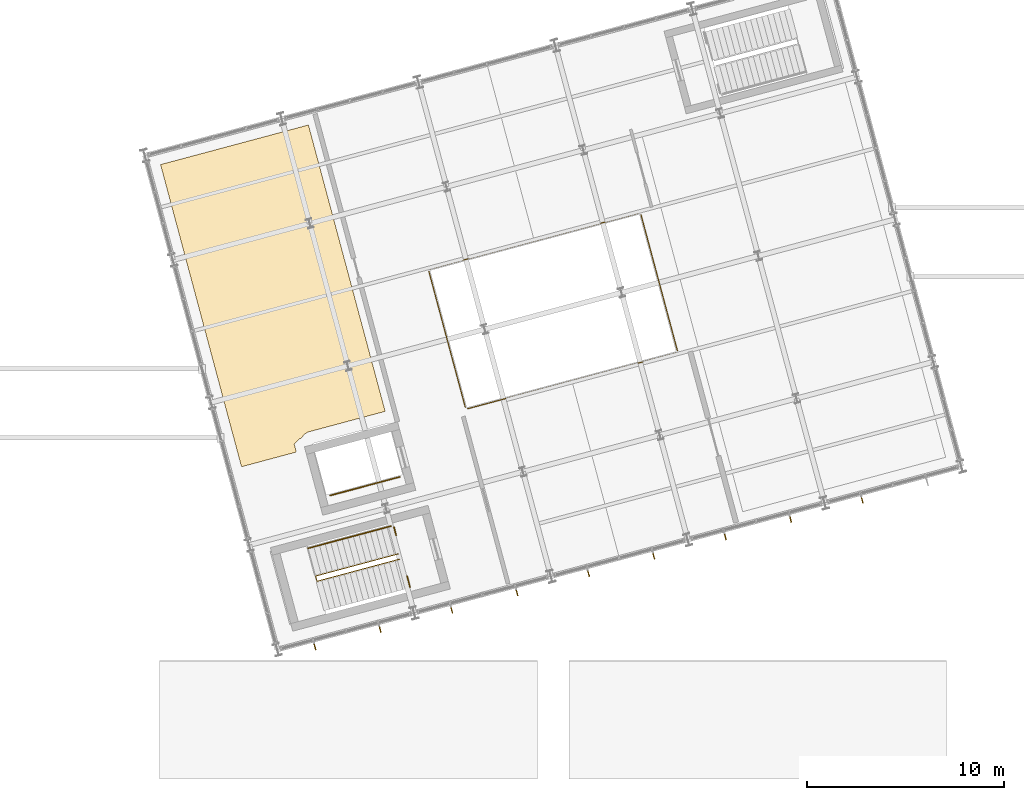
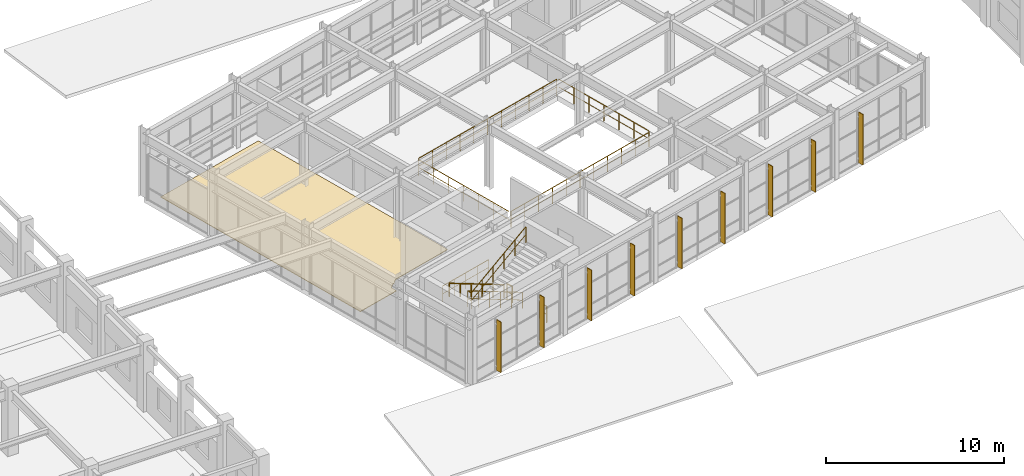
# One storey, part 99 of 104: 9 shading devices, 6 railings, 1 covering.
"""IFC4 building model written with IfcOpenShell, lengths in metres."""

from ifc_helpers import new_model, si_unit, direction, frame, origin, origin_2d, place, context, subcontext, project, spatial, polyline, rectangle, circle, outline, extrude, material, layer, layer_set, type_object, element, save


model = new_model("IFC4")

# Units and contexts
model_context = context("Model", 3, precision=1e-05, world=origin(), true_north=direction((0.0, 1.0)))
body_context = subcontext(model_context, "Body", "Model", "MODEL_VIEW")
ifc_project = project(units=[si_unit("LENGTHUNIT", "METRE"), si_unit("AREAUNIT", "SQUARE_METRE"), si_unit("VOLUMEUNIT", "CUBIC_METRE"), si_unit("PLANEANGLEUNIT", "RADIAN"), si_unit("MASSUNIT", "GRAM", prefix="KILO")], contexts=[model_context])

# Site, building, storey
site_placement = place(None, origin())
site = spatial("IfcSite", under=ifc_project, at=site_placement, CompositionType="ELEMENT")
building_placement = place(site_placement, origin())
building = spatial("IfcBuilding", under=site, at=building_placement, Name="Ventoquebrada Cableway Terminal", CompositionType="ELEMENT")
storey_placement = place(building_placement, frame((0.0, 0.0, 4.800048828125)))
storey = spatial("IfcBuildingStorey", under=building, at=storey_placement, Name="L01", CompositionType="ELEMENT", Elevation=4.800048828125)

# Covering
ifc_material_1 = material(Name="Honed volcanic basalt stone flooring", Category="masonry")
ifc_layer = layer(ifc_material_1, 0.034912109375)
ifc_layer_set = layer_set([ifc_layer], Name="Honed volcanic basalt stone flooring")
covering_type = type_object("IfcCoveringType", Name="COV-FL01", PredefinedType="FLOORING", material=ifc_layer_set)
covering_placement = place(storey_placement, origin())
element("IfcCovering", 1, at=covering_placement, inside=storey, type_object=covering_type, Name="Honed basalt floor finish FL-11", PredefinedType="FLOORING", context=body_context, shape_type="SweptSolid", body=[
    extrude(outline(polyline([(50.159912109375, 79.080078125), (52.944091796875, 79.826904296875), (52.8369140625, 80.23193359375), (53.118896484375, 80.513916015625), (53.2099609375, 80.5390625), (53.343017578125, 80.72412109375), (53.535888671875, 80.843017578125), (57.4599609375, 81.89599609375), (53.56005859375, 96.451904296875), (46.044921875, 94.43896484375), (50.159912109375, 79.080078125)])), origin(), (0.0, 0.0, 1.0), 0.034912109375),
])

# Railings
ifc_material_2 = material(Name="Brushed stainless steel Grade 316", Category="steel")
railing_type_1 = type_object("IfcRailingType", Name="RL-GD01", PredefinedType="GUARDRAIL", material=ifc_material_2)
railing_1_placement = place(storey_placement, frame((58.1279296875, 74.652099609375, 0.14990234375)))
element("IfcRailing", 2, at=railing_1_placement, inside=storey, type_object=railing_type_1, Name="Stair well guardrail GR-S28", PredefinedType="GUARDRAIL", context=body_context, shape_type="SweptSolid", body=[
    extrude(circle(Radius=0.02392578125, at=origin_2d()), frame((-0.001708984375, -0.00048828125, 1.096923828125), z_axis=(-0.857944788778, -0.229951734974, 0.459404983637), x_axis=(0.258888500061, -0.965907213213, 0.0)), (0.0, 0.0, 1.0), 4.8935546875),
    extrude(circle(Radius=0.01611328125, at=origin_2d()), frame((-0.001708984375, -0.00048828125, 0.56103515625), z_axis=(-0.857944788778, -0.229951734974, 0.459404983637), x_axis=(0.258888500061, -0.965907213213, 0.0)), (0.0, 0.0, 1.0), 4.8935546875),
    extrude(circle(Radius=0.02392578125, at=origin_2d()), frame((-4.201416015625, -1.128173828125, 3.34619140625), z_axis=(0.260098256048, -0.965582154558, 0.0), x_axis=(0.965582154558, 0.260098256048, 0.0)), (0.0, 0.0, 1.0), 0.276611328125),
    extrude(circle(Radius=0.01611328125, at=origin_2d()), frame((-4.201416015625, -1.128173828125, 2.81005859375), z_axis=(0.260098256048, -0.965582154558, 0.0), x_axis=(0.965582154558, 0.260098256048, 0.0)), (0.0, 0.0, 1.0), 0.276611328125),
    extrude(circle(Radius=0.02392578125, at=origin_2d()), frame((-4.127197265625, -1.396728515625, 3.346923828125), z_axis=(0.845668538369, 0.226714067966, 0.483161934137), x_axis=(-0.258944647281, 0.965892162534, 0.0)), (0.0, 0.0, 1.0), 4.963623046875),
    extrude(circle(Radius=0.01611328125, at=origin_2d()), frame((-4.127197265625, -1.396728515625, 2.81103515625), z_axis=(0.845668538369, 0.226714067966, 0.483161934137), x_axis=(-0.258944647281, 0.965892162534, 0.0)), (0.0, 0.0, 1.0), 4.963623046875),
    extrude(circle(Radius=0.02099609375, at=origin_2d()), origin(), (0.0, 0.0, 1.0), 1.072021484375),
    extrude(circle(Radius=0.02099609375, at=origin_2d()), frame((-0.84033203125, -0.225341796875, 0.449951171875)), (0.0, 0.0, 1.0), 1.072021484375),
    extrude(circle(Radius=0.02099609375, at=origin_2d()), frame((-1.6806640625, -0.450439453125, 0.89990234375)), (0.0, 0.0, 1.0), 1.072021484375),
    extrude(circle(Radius=0.02099609375, at=origin_2d()), frame((-2.521240234375, -0.67578125, 1.35009765625)), (0.0, 0.0, 1.0), 1.072021484375),
    extrude(circle(Radius=0.02099609375, at=origin_2d()), frame((-3.361572265625, -0.90087890625, 1.800048828125)), (0.0, 0.0, 1.0), 1.072021484375),
    extrude(circle(Radius=0.02099609375, at=origin_2d()), frame((-4.201904296875, -1.126220703125, 2.25)), (0.0, 0.0, 1.0), 1.072021484375),
    extrude(circle(Radius=0.02099609375, at=origin_2d()), frame((-4.12890625, -1.397216796875, 2.25)), (0.0, 0.0, 1.0), 1.072021484375),
    extrude(circle(Radius=0.02099609375, at=origin_2d()), frame((-3.288818359375, -1.171875, 2.72998046875)), (0.0, 0.0, 1.0), 1.072021484375),
    extrude(circle(Radius=0.02099609375, at=origin_2d()), frame((-2.448486328125, -0.94677734375, 3.2099609375)), (0.0, 0.0, 1.0), 1.072021484375),
    extrude(circle(Radius=0.02099609375, at=origin_2d()), frame((-1.6083984375, -0.721435546875, 3.690185546875)), (0.0, 0.0, 1.0), 1.072021484375),
    extrude(circle(Radius=0.02099609375, at=origin_2d()), frame((-0.76806640625, -0.496337890625, 4.170166015625)), (0.0, 0.0, 1.0), 1.072021484375),
    extrude(circle(Radius=0.02099609375, at=origin_2d()), frame((0.072021484375, -0.27099609375, 4.650146484375)), (0.0, 0.0, 1.0), 1.072021484375),
])
railing_2_placement = place(storey_placement, frame((59.7529296875, 89.135986328125, 0.0)))
element("IfcRailing", 3, at=railing_2_placement, inside=storey, type_object=railing_type_1, Name="Open-edge guardrail GR-E075", PredefinedType="GUARDRAIL", context=body_context, shape_type="SweptSolid", body=[
    extrude(circle(Radius=0.02392578125, at=origin_2d()), frame((-0.0693359375, -0.121826171875, 1.09619140625), z_axis=(0.258786618529, -0.96593451438, 0.0), x_axis=(0.96593451438, 0.258786618529, 0.0)), (0.0, 0.0, 1.0), 7.16015625),
    extrude(circle(Radius=0.01611328125, at=origin_2d()), frame((-0.0693359375, -0.121826171875, 0.56005859375), z_axis=(0.258786618529, -0.96593451438, 0.0), x_axis=(0.96593451438, 0.258786618529, 0.0)), (0.0, 0.0, 1.0), 7.16015625),
    extrude(circle(Radius=0.02392578125, at=origin_2d()), frame((1.888916015625, -7.111572265625, 1.09619140625), z_axis=(0.965981727158, 0.258610330026, 0.0), x_axis=(-0.258610330026, 0.965981727158, 0.0)), (0.0, 0.0, 1.0), 5.4951171875),
    extrude(circle(Radius=0.01611328125, at=origin_2d()), frame((1.888916015625, -7.111572265625, 0.56005859375), z_axis=(0.965981727158, 0.258610330026, 0.0), x_axis=(-0.258610330026, 0.965981727158, 0.0)), (0.0, 0.0, 1.0), 5.4951171875),
    extrude(circle(Radius=0.02392578125, at=origin_2d()), frame((7.200927734375, -5.689453125, 1.09619140625), z_axis=(0.965965342094, 0.258671525053, 0.0), x_axis=(-0.258671525053, 0.965965342094, 0.0)), (0.0, 0.0, 1.0), 5.477783203125),
    extrude(circle(Radius=0.01611328125, at=origin_2d()), frame((7.200927734375, -5.689453125, 0.56005859375), z_axis=(0.965965342094, 0.258671525053, 0.0), x_axis=(-0.258671525053, 0.965965342094, 0.0)), (0.0, 0.0, 1.0), 5.477783203125),
    extrude(circle(Radius=0.02392578125, at=origin_2d()), frame((12.5634765625, -4.150146484375, 1.09619140625), z_axis=(-0.258786618529, 0.96593451438, 0.0), x_axis=(-0.96593451438, -0.258786618529, 0.0)), (0.0, 0.0, 1.0), 7.16015625),
    extrude(circle(Radius=0.01611328125, at=origin_2d()), frame((12.5634765625, -4.150146484375, 0.56005859375), z_axis=(-0.258786618529, 0.96593451438, 0.0), x_axis=(-0.96593451438, -0.258786618529, 0.0)), (0.0, 0.0, 1.0), 7.16015625),
    extrude(circle(Radius=0.02392578125, at=origin_2d()), frame((10.605224609375, 2.839599609375, 1.09619140625), z_axis=(-0.965981727158, -0.258610330026, 0.0), x_axis=(0.258610330026, -0.965981727158, 0.0)), (0.0, 0.0, 1.0), 5.4951171875),
    extrude(circle(Radius=0.01611328125, at=origin_2d()), frame((10.605224609375, 2.839599609375, 0.56005859375), z_axis=(-0.965981727158, -0.258610330026, 0.0), x_axis=(0.258610330026, -0.965981727158, 0.0)), (0.0, 0.0, 1.0), 5.4951171875),
    extrude(circle(Radius=0.02392578125, at=origin_2d()), frame((5.293212890625, 1.41748046875, 1.09619140625), z_axis=(-0.965965342094, -0.258671525053, 0.0), x_axis=(0.258671525053, -0.965965342094, 0.0)), (0.0, 0.0, 1.0), 5.477783203125),
    extrude(circle(Radius=0.01611328125, at=origin_2d()), frame((5.293212890625, 1.41748046875, 0.56005859375), z_axis=(-0.965965342094, -0.258671525053, 0.0), x_axis=(0.258671525053, -0.965965342094, 0.0)), (0.0, 0.0, 1.0), 5.477783203125),
    extrude(circle(Radius=0.02099609375, at=origin_2d()), frame((-0.06982421875, -0.119873046875, 0.0)), (0.0, 0.0, 1.0), 1.072021484375),
    extrude(circle(Radius=0.02099609375, at=origin_2d()), frame((0.2392578125, -1.273193359375, 0.0)), (0.0, 0.0, 1.0), 1.072021484375),
    extrude(circle(Radius=0.02099609375, at=origin_2d()), frame((0.548095703125, -2.426513671875, 0.0)), (0.0, 0.0, 1.0), 1.072021484375),
    extrude(circle(Radius=0.02099609375, at=origin_2d()), frame((0.857177734375, -3.580078125, 0.0)), (0.0, 0.0, 1.0), 1.072021484375),
    extrude(circle(Radius=0.02099609375, at=origin_2d()), frame((1.166259765625, -4.7333984375, 0.0)), (0.0, 0.0, 1.0), 1.072021484375),
    extrude(circle(Radius=0.02099609375, at=origin_2d()), frame((1.47509765625, -5.88671875, 0.0)), (0.0, 0.0, 1.0), 1.072021484375),
    extrude(circle(Radius=0.02099609375, at=origin_2d()), frame((1.886962890625, -7.112060546875, 0.0)), (0.0, 0.0, 1.0), 1.072021484375),
    extrude(circle(Radius=0.02099609375, at=origin_2d()), frame((2.949462890625, -6.82763671875, 0.0)), (0.0, 0.0, 1.0), 1.072021484375),
    extrude(circle(Radius=0.02099609375, at=origin_2d()), frame((4.01171875, -6.543212890625, 0.0)), (0.0, 0.0, 1.0), 1.072021484375),
    extrude(circle(Radius=0.02099609375, at=origin_2d()), frame((5.07421875, -6.2587890625, 0.0)), (0.0, 0.0, 1.0), 1.072021484375),
    extrude(circle(Radius=0.02099609375, at=origin_2d()), frame((6.136474609375, -5.974365234375, 0.0)), (0.0, 0.0, 1.0), 1.072021484375),
    extrude(circle(Radius=0.02099609375, at=origin_2d()), frame((7.198974609375, -5.68994140625, 0.0)), (0.0, 0.0, 1.0), 1.072021484375),
    extrude(circle(Radius=0.02099609375, at=origin_2d()), frame((8.258056640625, -5.40625, 0.0)), (0.0, 0.0, 1.0), 1.072021484375),
    extrude(circle(Radius=0.02099609375, at=origin_2d()), frame((9.317138671875, -5.122802734375, 0.0)), (0.0, 0.0, 1.0), 1.072021484375),
    extrude(circle(Radius=0.02099609375, at=origin_2d()), frame((10.3759765625, -4.839111328125, 0.0)), (0.0, 0.0, 1.0), 1.072021484375),
    extrude(circle(Radius=0.02099609375, at=origin_2d()), frame((11.43505859375, -4.5556640625, 0.0)), (0.0, 0.0, 1.0), 1.072021484375),
    extrude(circle(Radius=0.02099609375, at=origin_2d()), frame((12.56396484375, -4.152099609375, 0.0)), (0.0, 0.0, 1.0), 1.072021484375),
    extrude(circle(Radius=0.02099609375, at=origin_2d()), frame((12.2548828125, -2.998779296875, 0.0)), (0.0, 0.0, 1.0), 1.072021484375),
    extrude(circle(Radius=0.02099609375, at=origin_2d()), frame((11.946044921875, -1.845458984375, 0.0)), (0.0, 0.0, 1.0), 1.072021484375),
    extrude(circle(Radius=0.02099609375, at=origin_2d()), frame((11.636962890625, -0.69189453125, 0.0)), (0.0, 0.0, 1.0), 1.072021484375),
    extrude(circle(Radius=0.02099609375, at=origin_2d()), frame((11.327880859375, 0.46142578125, 0.0)), (0.0, 0.0, 1.0), 1.072021484375),
    extrude(circle(Radius=0.02099609375, at=origin_2d()), frame((11.01904296875, 1.61474609375, 0.0)), (0.0, 0.0, 1.0), 1.072021484375),
    extrude(circle(Radius=0.02099609375, at=origin_2d()), frame((10.607177734375, 2.840087890625, 0.0)), (0.0, 0.0, 1.0), 1.072021484375),
    extrude(circle(Radius=0.02099609375, at=origin_2d()), frame((9.544677734375, 2.5556640625, 0.0)), (0.0, 0.0, 1.0), 1.072021484375),
    extrude(circle(Radius=0.02099609375, at=origin_2d()), frame((8.482421875, 2.271240234375, 0.0)), (0.0, 0.0, 1.0), 1.072021484375),
    extrude(circle(Radius=0.02099609375, at=origin_2d()), frame((7.419921875, 1.98681640625, 0.0)), (0.0, 0.0, 1.0), 1.072021484375),
    extrude(circle(Radius=0.02099609375, at=origin_2d()), frame((6.357666015625, 1.702392578125, 0.0)), (0.0, 0.0, 1.0), 1.072021484375),
    extrude(circle(Radius=0.02099609375, at=origin_2d()), frame((5.295166015625, 1.41796875, 0.0)), (0.0, 0.0, 1.0), 1.072021484375),
    extrude(circle(Radius=0.02099609375, at=origin_2d()), frame((4.236083984375, 1.13427734375, 0.0)), (0.0, 0.0, 1.0), 1.072021484375),
    extrude(circle(Radius=0.02099609375, at=origin_2d()), frame((3.177001953125, 0.850830078125, 0.0)), (0.0, 0.0, 1.0), 1.072021484375),
    extrude(circle(Radius=0.02099609375, at=origin_2d()), frame((2.1181640625, 0.567138671875, 0.0)), (0.0, 0.0, 1.0), 1.072021484375),
    extrude(circle(Radius=0.02099609375, at=origin_2d()), frame((1.05908203125, 0.28369140625, 0.0)), (0.0, 0.0, 1.0), 1.072021484375),
    extrude(circle(Radius=0.02099609375, at=origin_2d()), origin(), (0.0, 0.0, 1.0), 1.072021484375),
])
railing_3_placement = place(storey_placement, frame((58.72607421875, 72.958984375, 0.0)))
element("IfcRailing", 4, at=railing_3_placement, inside=storey, type_object=railing_type_1, Name="Open-edge guardrail GR-E076", PredefinedType="GUARDRAIL", context=body_context, shape_type="SweptSolid", body=[
    extrude(circle(Radius=0.02392578125, at=origin_2d()), frame((-0.00048828125, 0.001953125, 1.09619140625), z_axis=(-0.258143027153, 0.966106711255, 0.0), x_axis=(-0.966106711255, -0.258143027153, 0.0)), (0.0, 0.0, 1.0), 0.5654296875),
    extrude(circle(Radius=0.01611328125, at=origin_2d()), frame((-0.00048828125, 0.001953125, 0.56005859375), z_axis=(-0.258143027153, 0.966106711255, 0.0), x_axis=(-0.966106711255, -0.258143027153, 0.0)), (0.0, 0.0, 1.0), 0.5654296875),
    extrude(circle(Radius=0.02099609375, at=origin_2d()), origin(), (0.0, 0.0, 1.0), 1.072021484375),
    extrude(circle(Radius=0.02099609375, at=origin_2d()), frame((-0.14697265625, 0.550048828125, 0.0)), (0.0, 0.0, 1.0), 1.072021484375),
])
railing_4_placement = place(storey_placement, frame((58.01904296875, 75.595947265625, 0.0)))
element("IfcRailing", 5, at=railing_4_placement, inside=storey, type_object=railing_type_1, Name="Open-edge guardrail GR-E077", PredefinedType="GUARDRAIL", context=body_context, shape_type="SweptSolid", body=[
    extrude(circle(Radius=0.02392578125, at=origin_2d()), frame((-0.00048828125, 0.001953125, 1.09619140625), z_axis=(-0.257980244894, 0.966150191867, 0.0), x_axis=(-0.966150191867, -0.257980244894, 0.0)), (0.0, 0.0, 1.0), 0.426513671875),
    extrude(circle(Radius=0.01611328125, at=origin_2d()), frame((-0.00048828125, 0.001953125, 0.56005859375), z_axis=(-0.257980244894, 0.966150191867, 0.0), x_axis=(-0.966150191867, -0.257980244894, 0.0)), (0.0, 0.0, 1.0), 0.426513671875),
    extrude(circle(Radius=0.02099609375, at=origin_2d()), origin(), (0.0, 0.0, 1.0), 1.072021484375),
    extrude(circle(Radius=0.02099609375, at=origin_2d()), frame((-0.111083984375, 0.416015625, 0.0)), (0.0, 0.0, 1.0), 1.072021484375),
])
railing_5_placement = place(storey_placement, frame((54.662109375, 77.615966796875, 0.0)))
element("IfcRailing", 6, at=railing_5_placement, inside=storey, type_object=railing_type_1, Name="Open-edge guardrail GR-E078", PredefinedType="GUARDRAIL", context=body_context, shape_type="SweptSolid", body=[
    extrude(circle(Radius=0.02392578125, at=origin_2d()), frame((0.001953125, 0.00048828125, 1.09619140625), z_axis=(0.965954302086, 0.258712748587, 0.0), x_axis=(-0.258712748587, 0.965954302086, 0.0)), (0.0, 0.0, 1.0), 3.656494140625),
    extrude(circle(Radius=0.01611328125, at=origin_2d()), frame((0.001953125, 0.00048828125, 0.56005859375), z_axis=(0.965954302086, 0.258712748587, 0.0), x_axis=(-0.258712748587, 0.965954302086, 0.0)), (0.0, 0.0, 1.0), 3.656494140625),
    extrude(circle(Radius=0.02099609375, at=origin_2d()), origin(), (0.0, 0.0, 1.0), 1.072021484375),
    extrude(circle(Radius=0.02099609375, at=origin_2d()), frame((0.884033203125, 0.23681640625, 0.0)), (0.0, 0.0, 1.0), 1.072021484375),
    extrude(circle(Radius=0.02099609375, at=origin_2d()), frame((1.76806640625, 0.4736328125, 0.0)), (0.0, 0.0, 1.0), 1.072021484375),
    extrude(circle(Radius=0.02099609375, at=origin_2d()), frame((2.65185546875, 0.710205078125, 0.0)), (0.0, 0.0, 1.0), 1.072021484375),
    extrude(circle(Radius=0.02099609375, at=origin_2d()), frame((3.535888671875, 0.947021484375, 0.0)), (0.0, 0.0, 1.0), 1.072021484375),
])
railing_type_2 = type_object("IfcRailingType", Name="RL-HR01", PredefinedType="HANDRAIL", material=ifc_material_2)
railing_6_placement = place(storey_placement, frame((57.75, 76.06201171875, 0.14990234375)))
element("IfcRailing", 7, at=railing_6_placement, inside=storey, type_object=railing_type_2, Name="Stair wall handrail HR-S28", PredefinedType="HANDRAIL", context=body_context, shape_type="SweptSolid", body=[
    extrude(circle(Radius=0.02392578125, at=origin_2d()), frame((-0.001708984375, -0.00048828125, 0.896728515625), z_axis=(-0.857954622313, -0.229904521417, 0.459410249215), x_axis=(0.258836138861, -0.965921245868, 0.0)), (0.0, 0.0, 1.0), 4.8935546875),
    extrude(circle(Radius=0.02099609375, at=origin_2d()), origin(), (0.0, 0.0, 1.0), 0.871826171875),
    extrude(circle(Radius=0.02099609375, at=origin_2d()), frame((-0.84033203125, -0.22509765625, 0.449951171875)), (0.0, 0.0, 1.0), 0.871826171875),
    extrude(circle(Radius=0.02099609375, at=origin_2d()), frame((-1.6806640625, -0.450439453125, 0.89990234375)), (0.0, 0.0, 1.0), 0.871826171875),
    extrude(circle(Radius=0.02099609375, at=origin_2d()), frame((-2.521240234375, -0.675537109375, 1.35009765625)), (0.0, 0.0, 1.0), 0.871826171875),
    extrude(circle(Radius=0.02099609375, at=origin_2d()), frame((-3.361572265625, -0.90087890625, 1.800048828125)), (0.0, 0.0, 1.0), 0.871826171875),
    extrude(circle(Radius=0.02099609375, at=origin_2d()), frame((-4.201904296875, -1.1259765625, 2.25)), (0.0, 0.0, 1.0), 0.871826171875),
])

# Shading devices
ifc_material_3 = material(Name="Anodized thermally-broken aluminium", Category="aluminium")
shading_device_type = type_object("IfcShadingDeviceType", Name="SHD-AW1", PredefinedType="AWNING", material=ifc_material_3)
for number, where, z_axis, x_axis, name in (
    (8, (53.885986328125, 69.944091796875, 0.14990234375), (0.0, 0.0, 1.0), (0.96593486019, 0.258785327773, 0.0), "Extruded aluminium sunshade fin FN-062"),
    (9, (57.200927734375, 70.83203125, 0.14990234375), (0.0, 0.0, 1.0), (0.96593486019, 0.258785327773, 0.0), "Extruded aluminium sunshade fin FN-063"),
    (10, (60.841064453125, 71.80810546875, 0.14990234375), (0.0, 0.0, 1.0), (0.965961954829, 0.258684173892, 0.0), "Extruded aluminium sunshade fin FN-064"),
    (11, (64.155029296875, 72.695068359375, 0.14990234375), (0.0, 0.0, 1.0), (0.965961954829, 0.258684173892, 0.0), "Extruded aluminium sunshade fin FN-065"),
    (12, (67.794921875, 73.6708984375, 0.14990234375), (0.0, 0.0, 1.0), (0.96593486019, 0.258785327773, 0.0), "Extruded aluminium sunshade fin FN-066"),
    (13, (71.110107421875, 74.55908203125, 0.14990234375), (0.0, 0.0, 1.0), (0.96593486019, 0.258785327773, 0.0), "Extruded aluminium sunshade fin FN-067"),
    (14, (74.75, 75.534912109375, 0.14990234375), (0.0, 0.0, 1.0), (0.965970984022, 0.258650455301, 0.0), "Extruded aluminium sunshade fin FN-068"),
    (15, (78.06494140625, 76.422119140625, 0.14990234375), (0.0, 0.0, 1.0), (0.965970984022, 0.258650455301, 0.0), "Extruded aluminium sunshade fin FN-069"),
    (16, (81.705078125, 77.39794921875, 0.14990234375), (0.0, 0.0, 1.0), (0.965925826289, 0.258819045103, 0.0), "Extruded aluminium sunshade fin FN-070"),
):
    element("IfcShadingDevice", number, at=place(storey_placement, frame(where, z_axis=z_axis, x_axis=x_axis)), inside=storey, type_object=shading_device_type, Name=name, PredefinedType="AWNING", context=body_context, shape_type="SweptSolid", body=[
        extrude(rectangle(XDim=0.044921875, YDim=0.360107421875, at=origin_2d()), origin(), (0.0, 0.0, 1.0), 3.48193359375),
    ])

save(model, "model.ifc")
